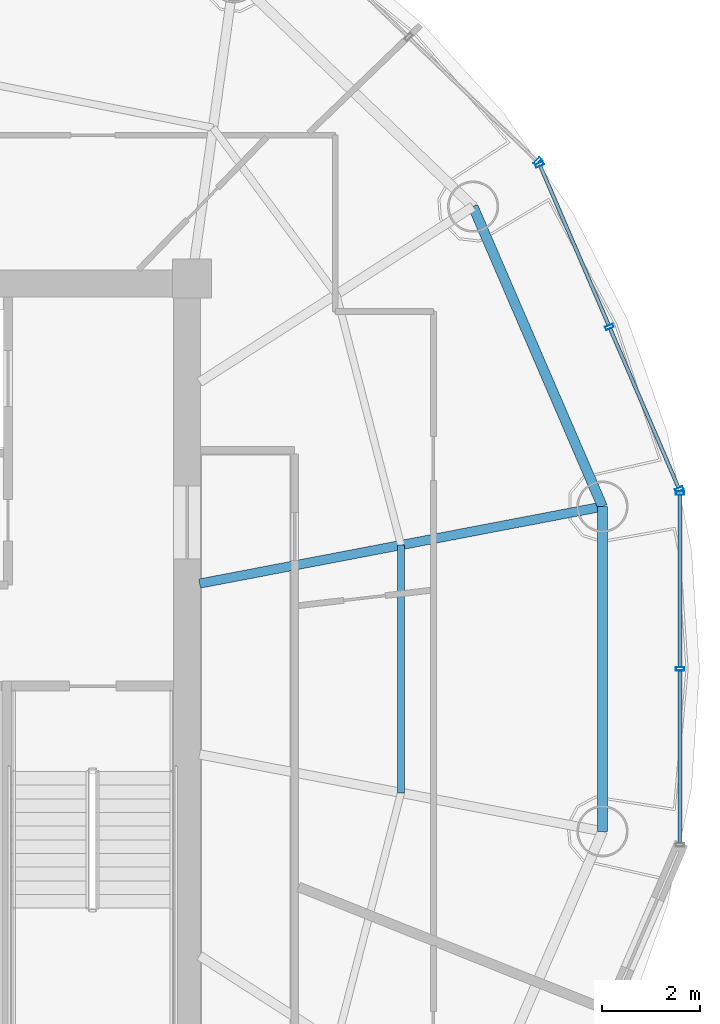
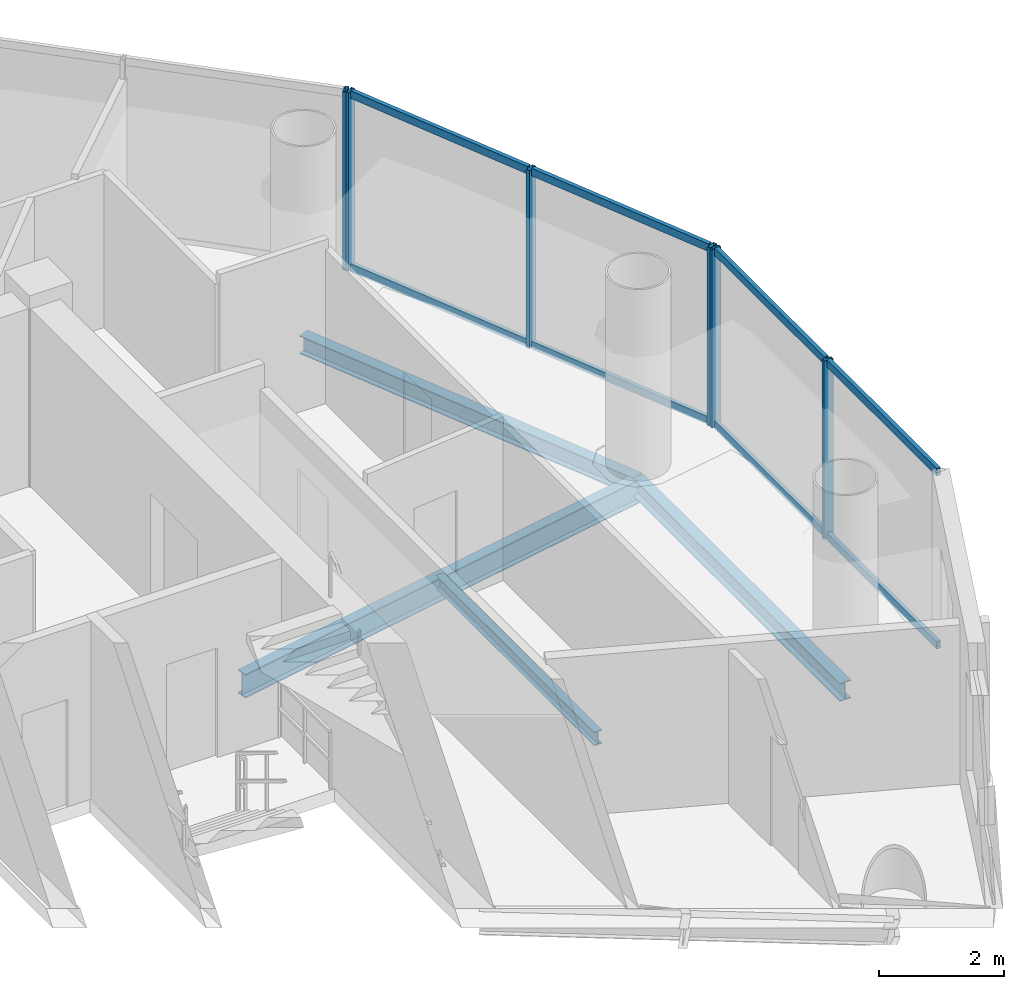
# One storey, part 12 of 24: 14 members, 4 beams, 3 elements without a shape of their own.
"""IFC4 building model written with IfcOpenShell, lengths in metres."""

from ifc_helpers import new_model, si_unit, direction, frame, origin, origin_2d, place, context, subcontext, project, spatial, hollow_rectangle, i_section, extrude, source, transform, mapped, material, material_profile, profile_set, type_object, element, aggregate, save


model = new_model("IFC4")

# Units and contexts
model_context = context("Model", 3, precision=1e-05, world=origin(), true_north=direction((-0.2419218956, 0.970295726276)))
body_context = subcontext(model_context, "Body", "Model", "MODEL_VIEW")
ifc_project = project(units=[si_unit("LENGTHUNIT", "METRE"), si_unit("AREAUNIT", "SQUARE_METRE"), si_unit("VOLUMEUNIT", "CUBIC_METRE"), si_unit("PLANEANGLEUNIT", "RADIAN"), si_unit("MASSUNIT", "GRAM", prefix="KILO")], contexts=[model_context])

# Site, building, storey
site_placement = place(None, origin())
site = spatial("IfcSite", under=ifc_project, at=site_placement, CompositionType="ELEMENT")
building_placement = place(site_placement, origin())
building = spatial("IfcBuilding", under=site, at=building_placement, Name="Cobrevalo Terracotta Tower", CompositionType="ELEMENT")
storey_placement = place(building_placement, frame((0.0, 0.0, 274.449951171875)))
storey = spatial("IfcBuildingStorey", under=building, at=storey_placement, Name="L72", CompositionType="ELEMENT", Elevation=274.449951171875)

# Beams
ifc_material_1 = material(Name="Steel S355", Category="steel")
ifc_material_profile_1 = material_profile(ifc_material_1, i_section(OverallWidth=0.19091796875, OverallDepth=0.4599609375, WebThickness=0.010009765625, FlangeThickness=0.01611328125, at=origin_2d()), Name="W 460x82")
ifc_profile_set_1 = profile_set([ifc_material_profile_1], Name="Steel S355")
beam_type_1 = type_object("IfcBeamType", Name="Structural Beam W 460x82 (Steel S355)", PredefinedType="BEAM", material=ifc_profile_set_1)
beam_1_placement = place(storey_placement, frame((55.408935546875, 30.126220703125, -0.489990234375), z_axis=(-0.982234917636, -0.187655446433, 0.0), x_axis=(0.187655446433, -0.982234917636, 0.0)))
element("IfcBeam", 1, at=beam_1_placement, inside=storey, type_object=beam_type_1, Name="L72 radial floor girder 01", PredefinedType="BEAM", context=body_context, shape_type="SweptSolid", body=[
    extrude(i_section(OverallWidth=0.19091796875, OverallDepth=0.4599609375, WebThickness=0.010009765625, FlangeThickness=0.01611328125, at=origin_2d()), origin(), (0.0, 0.0, 1.0), 8.403076171875),
])
ifc_material_profile_2 = material_profile(ifc_material_1, i_section(OverallWidth=0.14794921875, OverallDepth=0.26611328125, WebThickness=0.007568359375, FlangeThickness=0.012939453125, at=origin_2d()), Name="W 250x44.8")
ifc_profile_set_2 = profile_set([ifc_material_profile_2], Name="Steel S355")
beam_type_2 = type_object("IfcBeamType", Name="Structural Joist W 250x44.8 (Steel S355)", PredefinedType="JOIST", material=ifc_profile_set_2)
beam_2_placement = place(storey_placement, frame((51.281982421875, 24.26220703125, -0.39306640625), z_axis=(0.0, 1.0, 0.0), x_axis=(-1.0, 0.0, 0.0)))
element("IfcBeam", 2, at=beam_2_placement, inside=storey, type_object=beam_type_2, Name="L72 circumferential secondary floor joist 16", PredefinedType="JOIST", context=body_context, shape_type="SweptSolid", body=[
    extrude(i_section(OverallWidth=0.14794921875, OverallDepth=0.26611328125, WebThickness=0.007568359375, FlangeThickness=0.012939453125, at=origin_2d()), origin(), (0.0, 0.0, 1.0), 5.075439453125),
])
ifc_material_profile_3 = material_profile(ifc_material_1, i_section(OverallWidth=0.205078125, OverallDepth=0.35400390625, WebThickness=0.009521484375, FlangeThickness=0.016845703125, at=origin_2d()), Name="W 360x79")
ifc_profile_set_3 = profile_set([ifc_material_profile_3], Name="Steel S355")
beam_type_3 = type_object("IfcBeamType", Name="Structural Spandrel W 360x79 (Steel S355)", PredefinedType="SPANDREL", material=ifc_profile_set_3)
beam_3_placement = place(storey_placement, frame((55.408935546875, 30.126220703125, -0.43701171875), z_axis=(-0.395974127655, 0.918261667624, 0.0), x_axis=(-0.918261667624, -0.395974127655, 0.0)))
element("IfcBeam", 3, at=beam_3_placement, inside=storey, type_object=beam_type_3, Name="L72 perimeter ring spandrel 01", PredefinedType="SPANDREL", context=body_context, shape_type="SweptSolid", body=[
    extrude(i_section(OverallWidth=0.205078125, OverallDepth=0.35400390625, WebThickness=0.009521484375, FlangeThickness=0.016845703125, at=origin_2d()), origin(), (0.0, 0.0, 1.0), 6.693359375),
])
beam_4_placement = place(storey_placement, frame((55.408935546875, 23.4736328125, -0.43701171875), z_axis=(0.0, 1.0, 0.0), x_axis=(-1.0, 0.0, 0.0)))
element("IfcBeam", 4, at=beam_4_placement, inside=storey, type_object=beam_type_3, Name="L72 perimeter ring spandrel 16", PredefinedType="SPANDREL", context=body_context, shape_type="SweptSolid", body=[
    extrude(i_section(OverallWidth=0.205078125, OverallDepth=0.35400390625, WebThickness=0.009521484375, FlangeThickness=0.016845703125, at=origin_2d()), origin(), (0.0, 0.0, 1.0), 6.652587890625),
])

# Curtain wall, members
ifc_material_2 = material(Name="Anodized aluminium", Category="aluminium")
curtain_wall_type = type_object("IfcCurtainWallType", Name="Upper-tower triple-glazed penthouse curtain wall CW-U3", PredefinedType="NOTDEFINED", material=ifc_material_2)
curtain_wall_1_placement = place(storey_placement, origin())
curtain_wall_1 = element("IfcCurtainWall", 5, at=curtain_wall_1_placement, inside=storey, type_object=curtain_wall_type, Name="L72 curtain wall CW-L72-S01", PredefinedType="NOTDEFINED")
ifc_material_profile_4 = material_profile(ifc_material_2, hollow_rectangle(XDim=0.070068359375, YDim=0.169921875, WallThickness=0.00439453125, at=origin_2d()), Name="CWM 70x170")
ifc_profile_set_4 = profile_set([ifc_material_profile_4], Name="Anodized aluminium")
member_type_1 = type_object("IfcMemberType", Name="Upper tower unitised mullion 70x170", PredefinedType="MULLION", material=ifc_profile_set_4)
shared_shape_1 = source(origin(), body_context, "Body", "SweptSolid", [
    extrude(hollow_rectangle(XDim=0.070068359375, YDim=0.169921875, WallThickness=0.00439453125, at=origin_2d()), origin(), (0.0, 0.0, 1.0), 3.489990234375),
])
member_1_placement = place(storey_placement, frame((56.98193359375, 30.47900390625, 0.0), z_axis=(0.0, 0.0, 1.0), x_axis=(-0.39482403454, 0.91875675875, 0.0)))
member_1 = element("IfcMember", 6, at=member_1_placement, type_object=member_type_1, Name="CW-L72-S01 vertical mullion 01", PredefinedType="MULLION", context=body_context, shape_type="MappedRepresentation", body=[
    mapped(shared_shape_1, transform((0.0, 0.0, 0.0), scale=1.0)),
])
member_2_placement = place(storey_placement, frame((55.5517578125, 33.807373046875, 0.0), z_axis=(0.0, 0.0, 1.0), x_axis=(-0.39482403454, 0.91875675875, 0.0)))
member_2 = element("IfcMember", 7, at=member_2_placement, type_object=member_type_1, Name="CW-L72-S01 vertical mullion 02", PredefinedType="MULLION", context=body_context, shape_type="MappedRepresentation", body=[
    mapped(shared_shape_1, transform((0.0, 0.0, 0.0), scale=1.0)),
])
member_3_placement = place(storey_placement, frame((54.121337890625, 37.1357421875, 0.0), z_axis=(0.0, 0.0, 1.0), x_axis=(-0.39482403454, 0.91875675875, 0.0)))
member_3 = element("IfcMember", 8, at=member_3_placement, type_object=member_type_1, Name="CW-L72-S01 vertical mullion 03", PredefinedType="MULLION", context=body_context, shape_type="MappedRepresentation", body=[
    mapped(shared_shape_1, transform((0.0, 0.0, 0.0), scale=1.0)),
])

# Curtain wall, member
curtain_wall_2_placement = place(storey_placement, origin())
curtain_wall_2 = element("IfcCurtainWall", 9, at=curtain_wall_2_placement, inside=storey, type_object=curtain_wall_type, Name="L72 curtain wall CW-L72-S02", PredefinedType="NOTDEFINED")
member_4_placement = place(storey_placement, frame((54.07666015625, 37.2001953125, 0.0), z_axis=(0.0, 0.0, 1.0), x_axis=(-0.71999418085, 0.69398010025, 0.0)))
member_4 = element("IfcMember", 10, at=member_4_placement, type_object=member_type_1, Name="CW-L72-S02 vertical mullion 01", PredefinedType="MULLION", context=body_context, shape_type="MappedRepresentation", body=[
    mapped(shared_shape_1, transform((0.0, 0.0, 0.0), scale=1.0)),
])
aggregate(curtain_wall_2, [member_4])

# Curtain wall, members
curtain_wall_3_placement = place(storey_placement, origin())
curtain_wall_3 = element("IfcCurtainWall", 11, at=curtain_wall_3_placement, inside=storey, type_object=curtain_wall_type, Name="L72 curtain wall CW-L72-S16", PredefinedType="NOTDEFINED")
member_5_placement = place(storey_placement, frame((56.997802734375, 26.800048828125, 0.0), z_axis=(0.0, 0.0, 1.0), x_axis=(0.0, 1.0, 0.0)))
member_5 = element("IfcMember", 12, at=member_5_placement, type_object=member_type_1, Name="CW-L72-S16 vertical mullion 02", PredefinedType="MULLION", context=body_context, shape_type="MappedRepresentation", body=[
    mapped(shared_shape_1, transform((0.0, 0.0, 0.0), scale=1.0)),
])
member_6_placement = place(storey_placement, frame((56.997802734375, 30.40234375, 0.0), z_axis=(0.0, 0.0, 1.0), x_axis=(0.0, 1.0, 0.0)))
member_6 = element("IfcMember", 13, at=member_6_placement, type_object=member_type_1, Name="CW-L72-S16 vertical mullion 03", PredefinedType="MULLION", context=body_context, shape_type="MappedRepresentation", body=[
    mapped(shared_shape_1, transform((0.0, 0.0, 0.0), scale=1.0)),
])

# Member
ifc_material_profile_5 = material_profile(ifc_material_2, hollow_rectangle(XDim=0.074951171875, YDim=0.14990234375, WallThickness=0.00439453125, at=origin_2d()), Name="CWT 75x150")
ifc_profile_set_5 = profile_set([ifc_material_profile_5], Name="Anodized aluminium")
member_type_2 = type_object("IfcMemberType", Name="Tower unitised aluminium transom 75x150", PredefinedType="USERDEFINED", material=ifc_profile_set_5)
shared_shape_2 = source(origin(), body_context, "Body", "SweptSolid", [
    extrude(hollow_rectangle(XDim=0.074951171875, YDim=0.14990234375, WallThickness=0.00439453125, at=origin_2d()), origin(), (0.0, 0.0, 1.0), 3.54248046875),
])
member_7_placement = place(storey_placement, frame((55.535888671875, 33.84423828125, 0.050048828125), z_axis=(-0.394834055841, 0.918752452159, 0.0), x_axis=(-0.918752452159, -0.394834055841, 0.0)))
member_7 = element("IfcMember", 14, at=member_7_placement, type_object=member_type_2, Name="CW-L72-S01 transom B02-T1", ObjectType="TRANSOM", PredefinedType="USERDEFINED", context=body_context, shape_type="MappedRepresentation", body=[
    mapped(shared_shape_2, transform((0.0, 0.0, 0.0), scale=1.0)),
])

member_8_placement = place(storey_placement, frame((55.535888671875, 33.84423828125, 3.43994140625), z_axis=(-0.394834055841, 0.918752452159, 0.0), x_axis=(-0.918752452159, -0.394834055841, 0.0)))
member_8 = element("IfcMember", 15, at=member_8_placement, type_object=member_type_2, Name="CW-L72-S01 transom B02-T2", ObjectType="TRANSOM", PredefinedType="USERDEFINED", context=body_context, shape_type="MappedRepresentation", body=[
    mapped(shared_shape_2, transform((0.0, 0.0, 0.0), scale=1.0)),
])

shared_shape_3 = source(origin(), body_context, "Body", "SweptSolid", [
    extrude(hollow_rectangle(XDim=0.074951171875, YDim=0.14990234375, WallThickness=0.00439453125, at=origin_2d()), origin(), (0.0, 0.0, 1.0), 3.542724609375),
])
member_9_placement = place(storey_placement, frame((56.96630859375, 30.515869140625, 0.050048828125), z_axis=(-0.394867226589, 0.918738196314, 0.0), x_axis=(-0.918738196314, -0.394867226589, 0.0)))
member_9 = element("IfcMember", 16, at=member_9_placement, type_object=member_type_2, Name="CW-L72-S01 transom B01-T1", ObjectType="TRANSOM", PredefinedType="USERDEFINED", context=body_context, shape_type="MappedRepresentation", body=[
    mapped(shared_shape_3, transform((0.0, 0.0, 0.0), scale=1.0)),
])

member_10_placement = place(storey_placement, frame((56.96630859375, 30.515869140625, 3.43994140625), z_axis=(-0.394867226589, 0.918738196314, 0.0), x_axis=(-0.918738196314, -0.394867226589, 0.0)))
member_10 = element("IfcMember", 17, at=member_10_placement, type_object=member_type_2, Name="CW-L72-S01 transom B01-T2", ObjectType="TRANSOM", PredefinedType="USERDEFINED", context=body_context, shape_type="MappedRepresentation", body=[
    mapped(shared_shape_3, transform((0.0, 0.0, 0.0), scale=1.0)),
])

aggregate(curtain_wall_1, [member_1, member_2, member_3, member_9, member_10, member_7, member_8])

shared_shape_4 = source(origin(), body_context, "Body", "SweptSolid", [
    extrude(hollow_rectangle(XDim=0.074951171875, YDim=0.14990234375, WallThickness=0.00439453125, at=origin_2d()), origin(), (0.0, 0.0, 1.0), 3.522216796875),
])
member_11_placement = place(storey_placement, frame((56.997802734375, 26.840087890625, 0.050048828125), z_axis=(0.0, 1.0, 0.0), x_axis=(-1.0, 0.0, 0.0)))
member_11 = element("IfcMember", 18, at=member_11_placement, type_object=member_type_2, Name="CW-L72-S16 transom B02-T1", ObjectType="TRANSOM", PredefinedType="USERDEFINED", context=body_context, shape_type="MappedRepresentation", body=[
    mapped(shared_shape_4, transform((0.0, 0.0, 0.0), scale=1.0)),
])

member_12_placement = place(storey_placement, frame((56.997802734375, 26.840087890625, 3.43994140625), z_axis=(0.0, 1.0, 0.0), x_axis=(-1.0, 0.0, 0.0)))
member_12 = element("IfcMember", 19, at=member_12_placement, type_object=member_type_2, Name="CW-L72-S16 transom B02-T2", ObjectType="TRANSOM", PredefinedType="USERDEFINED", context=body_context, shape_type="MappedRepresentation", body=[
    mapped(shared_shape_4, transform((0.0, 0.0, 0.0), scale=1.0)),
])

shared_shape_5 = source(origin(), body_context, "Body", "SweptSolid", [
    extrude(hollow_rectangle(XDim=0.074951171875, YDim=0.14990234375, WallThickness=0.00439453125, at=origin_2d()), origin(), (0.0, 0.0, 1.0), 3.5224609375),
])
member_13_placement = place(storey_placement, frame((56.997802734375, 23.237548828125, 0.050048828125), z_axis=(0.0, 1.0, 0.0), x_axis=(-1.0, 0.0, 0.0)))
member_13 = element("IfcMember", 20, at=member_13_placement, type_object=member_type_2, Name="CW-L72-S16 transom B01-T1", ObjectType="TRANSOM", PredefinedType="USERDEFINED", context=body_context, shape_type="MappedRepresentation", body=[
    mapped(shared_shape_5, transform((0.0, 0.0, 0.0), scale=1.0)),
])

member_14_placement = place(storey_placement, frame((56.997802734375, 23.237548828125, 3.43994140625), z_axis=(0.0, 1.0, 0.0), x_axis=(-1.0, 0.0, 0.0)))
member_14 = element("IfcMember", 21, at=member_14_placement, type_object=member_type_2, Name="CW-L72-S16 transom B01-T2", ObjectType="TRANSOM", PredefinedType="USERDEFINED", context=body_context, shape_type="MappedRepresentation", body=[
    mapped(shared_shape_5, transform((0.0, 0.0, 0.0), scale=1.0)),
])

aggregate(curtain_wall_3, [member_5, member_6, member_13, member_14, member_11, member_12])

save(model, "model.ifc")
